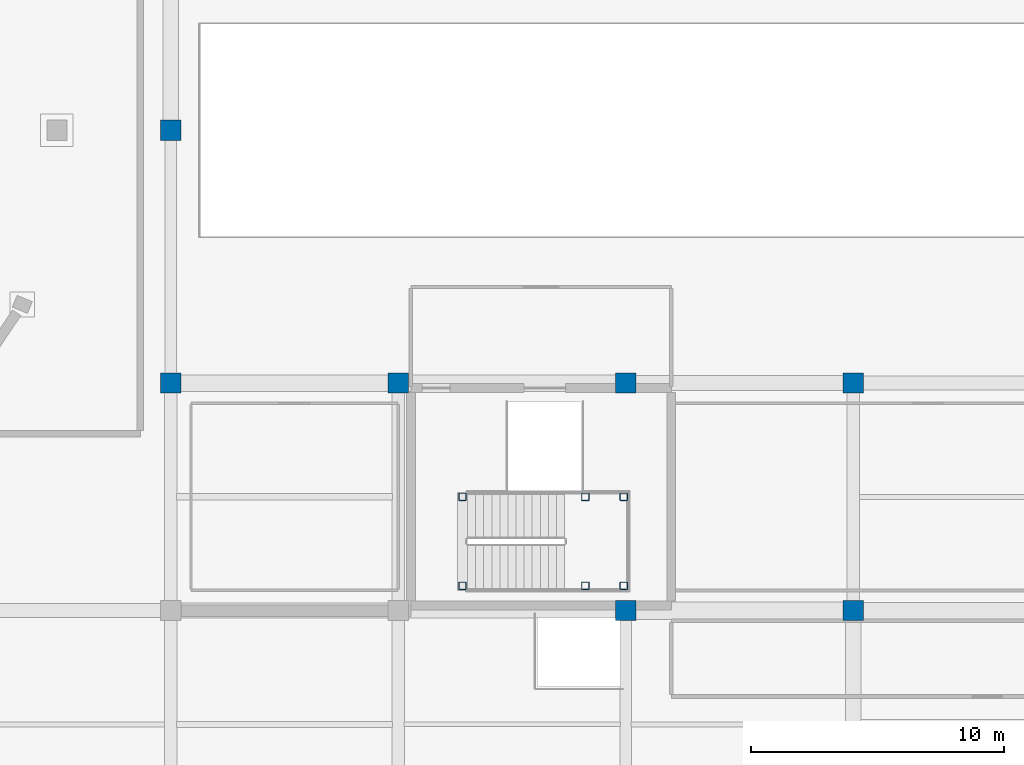
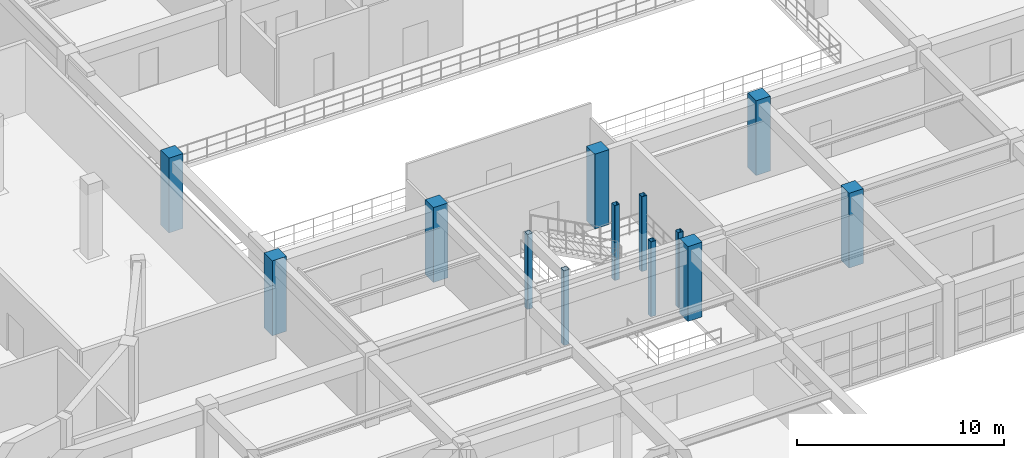
# One storey, part 7 of 133: 13 columns.
"""IFC4 building model written with IfcOpenShell, lengths in metres."""

from ifc_helpers import new_model, si_unit, direction, frame, origin, origin_2d, place, context, subcontext, project, spatial, rectangle, hollow_rectangle, extrude, material, material_profile, profile_set, type_object, element, save


model = new_model("IFC4")

# Units and contexts
model_context = context("Model", 3, precision=1e-05, world=origin(), true_north=direction((0.0, 1.0)))
body_context = subcontext(model_context, "Body", "Model", "MODEL_VIEW")
ifc_project = project(units=[si_unit("LENGTHUNIT", "METRE"), si_unit("AREAUNIT", "SQUARE_METRE"), si_unit("VOLUMEUNIT", "CUBIC_METRE"), si_unit("PLANEANGLEUNIT", "RADIAN"), si_unit("MASSUNIT", "GRAM", prefix="KILO")], contexts=[model_context])

# Site, building, storey
site_placement = place(None, origin())
site = spatial("IfcSite", under=ifc_project, at=site_placement, CompositionType="ELEMENT")
building_placement = place(site_placement, origin())
building = spatial("IfcBuilding", under=site, at=building_placement, Name="Miravela Opera House", CompositionType="ELEMENT")
storey_placement = place(building_placement, frame((0.0, 0.0, 5.10009765625)))
storey = spatial("IfcBuildingStorey", under=building, at=storey_placement, Name="L01", CompositionType="ELEMENT", Elevation=5.10009765625)

# Columns
ifc_material_1 = material(Name="Hollow structural steel ASTM A500 Gr. C", Category="steel")
ifc_material_profile_1 = material_profile(ifc_material_1, hollow_rectangle(XDim=0.300048828125, YDim=0.300048828125, WallThickness=0.01611328125, InnerFilletRadius=0.01611328125, OuterFilletRadius=0.031982421875, at=origin_2d()), Name="HSS300X300X16")
ifc_profile_set_1 = profile_set([ifc_material_profile_1])
column_type_1 = type_object("IfcColumnType", Name="STR-COL-HSS300", PredefinedType="COLUMN", material=ifc_profile_set_1)
for number, where, z_axis, x_axis, name in (
    (1, (110.5400390625, 37.97998046875, 0.0), (0.0, 0.0, 1.0), (1.0, 0.0, 0.0), "Stair K4 Landing Support Column 1 (L01)"),
    (2, (110.5400390625, 41.5, 0.0), (0.0, 0.0, 1.0), (1.0, 0.0, 0.0), "Stair K4 Landing Support Column 2 (L01)"),
    (3, (115.39990234375, 37.97998046875, 0.0), (0.0, 0.0, 1.0), (1.0, 0.0, 0.0), "Stair K4 Landing Support Column 3 (L01)"),
    (4, (115.39990234375, 41.5, 0.0), (0.0, 0.0, 1.0), (1.0, 0.0, 0.0), "Stair K4 Landing Support Column 4 (L01)"),
    (5, (116.919921875, 37.97998046875, 0.0), (0.0, 0.0, 1.0), (1.0, 0.0, 0.0), "Stair K4 Landing Support Column 5 (L01)"),
    (6, (116.919921875, 41.5, 0.0), (0.0, 0.0, 1.0), (1.0, 0.0, 0.0), "Stair K4 Landing Support Column 6 (L01)"),
):
    element("IfcColumn", number, at=place(storey_placement, frame(where, z_axis=z_axis, x_axis=x_axis)), inside=storey, type_object=column_type_1, Name=name, PredefinedType="COLUMN", context=body_context, shape_type="SweptSolid", body=[
        extrude(hollow_rectangle(XDim=0.300048828125, YDim=0.300048828125, WallThickness=0.01611328125, InnerFilletRadius=0.01611328125, OuterFilletRadius=0.031982421875, at=origin_2d()), origin(), (0.0, 0.0, 1.0), 4.419921875),
    ])
ifc_material_2 = material(Name="Concrete C40/50", Category="concrete")
ifc_material_profile_2 = material_profile(ifc_material_2, rectangle(XDim=0.800048828125, YDim=0.800048828125, at=origin_2d()), Name="RC-COL-800X800")
ifc_profile_set_2 = profile_set([ifc_material_profile_2])
column_type_2 = type_object("IfcColumnType", Name="STR-COL-RC800", PredefinedType="COLUMN", material=ifc_profile_set_2)
for number, where, z_axis, x_axis, name in (
    (7, (99.0, 46.0, 0.0), (0.0, 0.0, 1.0), (1.0, 0.0, 0.0), "Column C-12F (L01)"),
    (8, (99.0, 56.0, 0.0), (0.0, 0.0, 1.0), (1.0, 0.0, 0.0), "Column C-12G (L01)"),
    (9, (108.0, 46.0, 0.0), (0.0, 0.0, 1.0), (1.0, 0.0, 0.0), "Column C-13F (L01)"),
    (10, (117.0, 37.0, 0.0), (0.0, 0.0, 1.0), (1.0, 0.0, 0.0), "Column C-14E (L01)"),
    (11, (117.0, 46.0, 0.0), (0.0, 0.0, 1.0), (1.0, 0.0, 0.0), "Column C-14F (L01)"),
    (12, (126.0, 37.0, 0.0), (0.0, 0.0, 1.0), (1.0, 0.0, 0.0), "Column C-15E (L01)"),
    (13, (126.0, 46.0, 0.0), (0.0, 0.0, 1.0), (1.0, 0.0, 0.0), "Column C-15F (L01)"),
):
    element("IfcColumn", number, at=place(storey_placement, frame(where, z_axis=z_axis, x_axis=x_axis)), inside=storey, type_object=column_type_2, Name=name, PredefinedType="COLUMN", context=body_context, shape_type="SweptSolid", body=[
        extrude(rectangle(XDim=0.800048828125, YDim=0.800048828125, at=origin_2d()), origin(), (0.0, 0.0, 1.0), 4.419921875),
    ])

save(model, "model.ifc")
